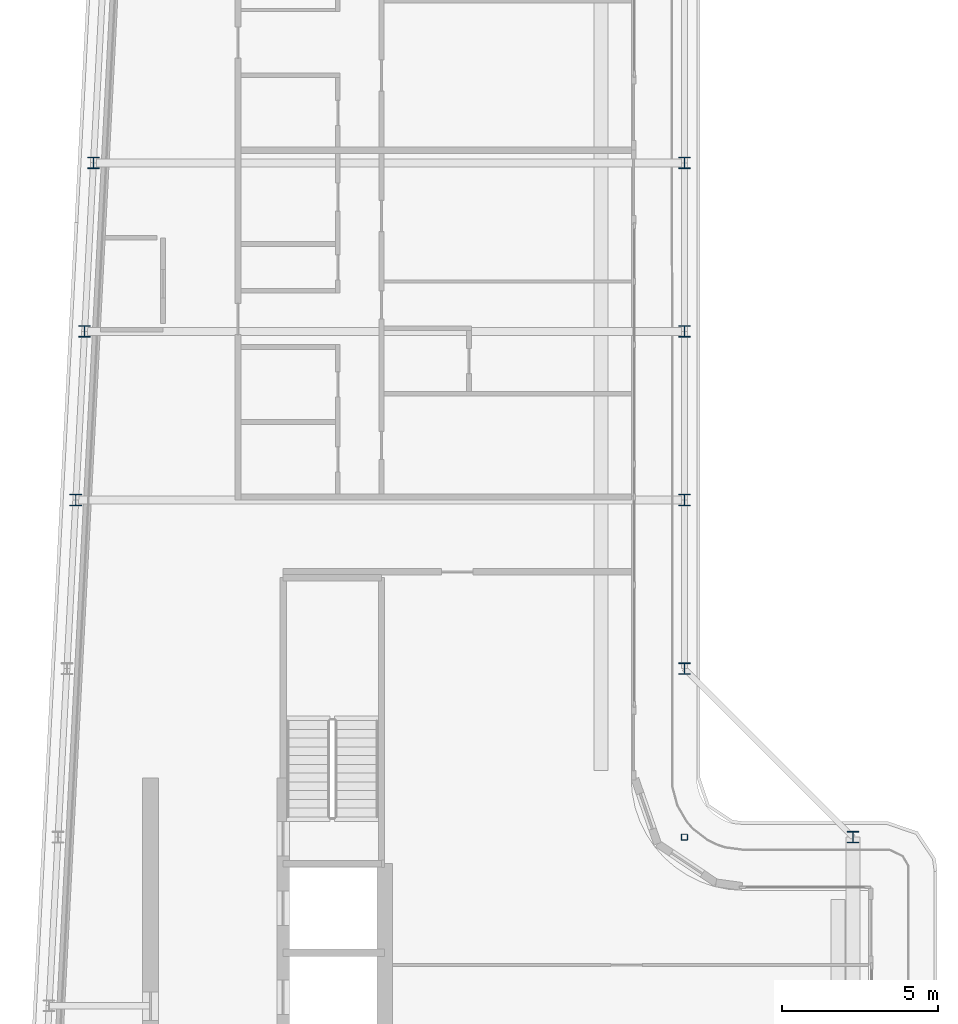
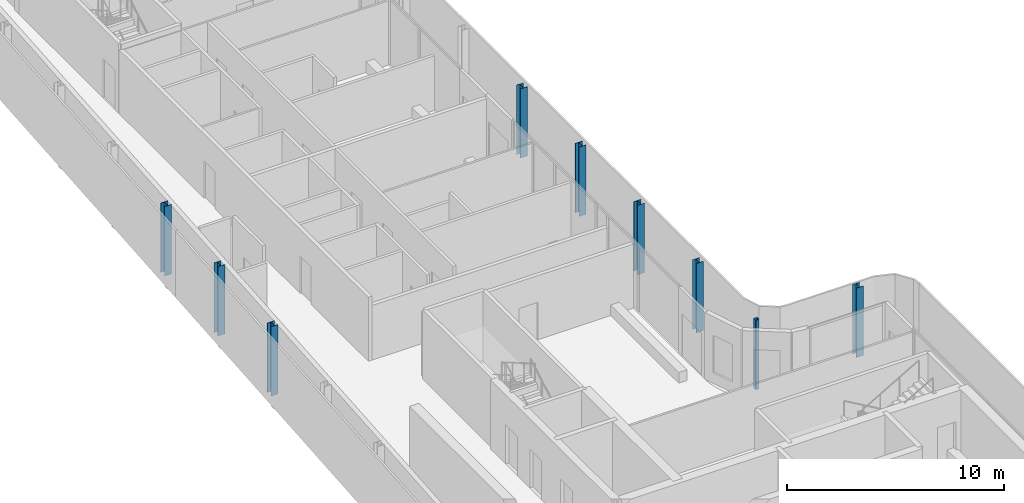
# One storey, part 2 of 18: 9 columns.
"""IFC4 building model written with IfcOpenShell, lengths in metres."""

from ifc_helpers import new_model, si_unit, direction, frame, origin, origin_2d, place, context, subcontext, project, spatial, hollow_rectangle, i_section, extrude, material, material_profile, profile_set, type_object, element, save


model = new_model("IFC4")

# Units and contexts
model_context = context("Model", 3, precision=1e-05, world=origin(), true_north=direction((0.0, 1.0)))
body_context = subcontext(model_context, "Body", "Model", "MODEL_VIEW")
ifc_project = project(units=[si_unit("LENGTHUNIT", "METRE"), si_unit("AREAUNIT", "SQUARE_METRE"), si_unit("VOLUMEUNIT", "CUBIC_METRE"), si_unit("PLANEANGLEUNIT", "RADIAN"), si_unit("MASSUNIT", "GRAM", prefix="KILO")], contexts=[model_context])

# Site, building, storey
site_placement = place(None, origin())
site = spatial("IfcSite", under=ifc_project, at=site_placement, CompositionType="ELEMENT")
building_placement = place(site_placement, origin())
building = spatial("IfcBuilding", under=site, at=building_placement, Name="Kheshtan School and Residences Tower", CompositionType="ELEMENT")
storey_placement = place(building_placement, frame((0.0, 0.0, 369.5)))
storey = spatial("IfcBuildingStorey", under=building, at=storey_placement, Name="L87", CompositionType="ELEMENT", Elevation=369.5)

# Columns
ifc_material_1 = material(Name="Steel ASTM A992 Grade 50", Category="steel")
ifc_material_profile_1 = material_profile(ifc_material_1, i_section(OverallWidth=0.37109375, OverallDepth=0.364013671875, WebThickness=0.01318359375, FlangeThickness=0.021728515625, FilletRadius=0.010986328125, at=origin_2d()), Name="W360x162")
ifc_profile_set_1 = profile_set([ifc_material_profile_1], Name="Steel ASTM A992 Grade 50")
column_type_1 = type_object("IfcColumnType", Name="Column C6 W360x162 ASTM A992 Grade 50", PredefinedType="COLUMN", material=ifc_profile_set_1)
for number, where, z_axis, x_axis, name in (
    (1, (53.0, 45.60009765625, 0.0), (0.0, 0.0, 1.0), (1.0, 0.0, 0.0), "Column C061"),
    (2, (47.60009765625, 51.0, 0.0), (0.0, 0.0, 1.0), (1.0, 0.0, 0.0), "Column C079"),
    (3, (28.10595703125, 56.39990234375, 0.0), (0.0, 0.0, 1.0), (1.0, 0.0, 0.0), "Column C080"),
    (4, (47.60009765625, 56.39990234375, 0.0), (0.0, 0.0, 1.0), (1.0, 0.0, 0.0), "Column C081"),
    (5, (28.389892578125, 61.800048828125, 0.0), (0.0, 0.0, 1.0), (1.0, 0.0, 0.0), "Column C082"),
    (6, (47.60009765625, 61.800048828125, 0.0), (0.0, 0.0, 1.0), (1.0, 0.0, 0.0), "Column C083"),
    (7, (28.674072265625, 67.199951171875, 0.0), (0.0, 0.0, 1.0), (1.0, 0.0, 0.0), "Column C084"),
    (8, (47.60009765625, 67.199951171875, 0.0), (0.0, 0.0, 1.0), (1.0, 0.0, 0.0), "Column C085"),
):
    element("IfcColumn", number, at=place(storey_placement, frame(where, z_axis=z_axis, x_axis=x_axis)), inside=storey, type_object=column_type_1, Name=name, PredefinedType="COLUMN", context=body_context, shape_type="SweptSolid", body=[
        extrude(i_section(OverallWidth=0.37109375, OverallDepth=0.364013671875, WebThickness=0.01318359375, FlangeThickness=0.021728515625, FilletRadius=0.010986328125, at=origin_2d()), origin(), (0.0, 0.0, 1.0), 3.89990234375),
    ])
ifc_material_2 = material(Name="Steel ASTM A500 Grade C", Category="steel")
ifc_material_profile_2 = material_profile(ifc_material_2, hollow_rectangle(XDim=0.202880859375, YDim=0.202880859375, WallThickness=0.0126953125, InnerFilletRadius=0.0126953125, OuterFilletRadius=0.025390625, at=origin_2d()), Name="HSS 203x203x12.7")
ifc_profile_set_2 = profile_set([ifc_material_profile_2], Name="Steel ASTM A500 Grade C")
column_type_2 = type_object("IfcColumnType", Name="Column IC4 HSS 203x203x12.7 ASTM A500 Grade C", PredefinedType="COLUMN", material=ifc_profile_set_2)
column_placement = place(storey_placement, frame((47.60009765625, 45.60009765625, 0.0), z_axis=(0.0, 0.0, 1.0), x_axis=(1.0, 0.0, 0.0)))
element("IfcColumn", 9, at=column_placement, inside=storey, type_object=column_type_2, Name="Column C060", PredefinedType="COLUMN", context=body_context, shape_type="SweptSolid", body=[
    extrude(hollow_rectangle(XDim=0.202880859375, YDim=0.202880859375, WallThickness=0.0126953125, InnerFilletRadius=0.0126953125, OuterFilletRadius=0.025390625, at=origin_2d()), origin(), (0.0, 0.0, 1.0), 3.89990234375),
])

save(model, "model.ifc")
